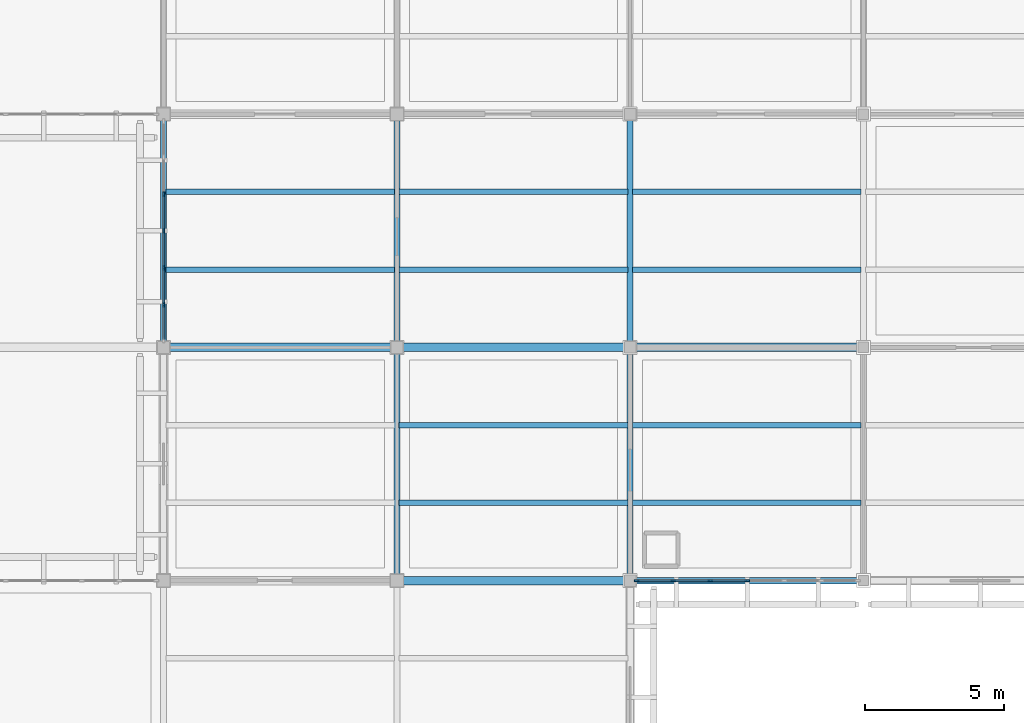
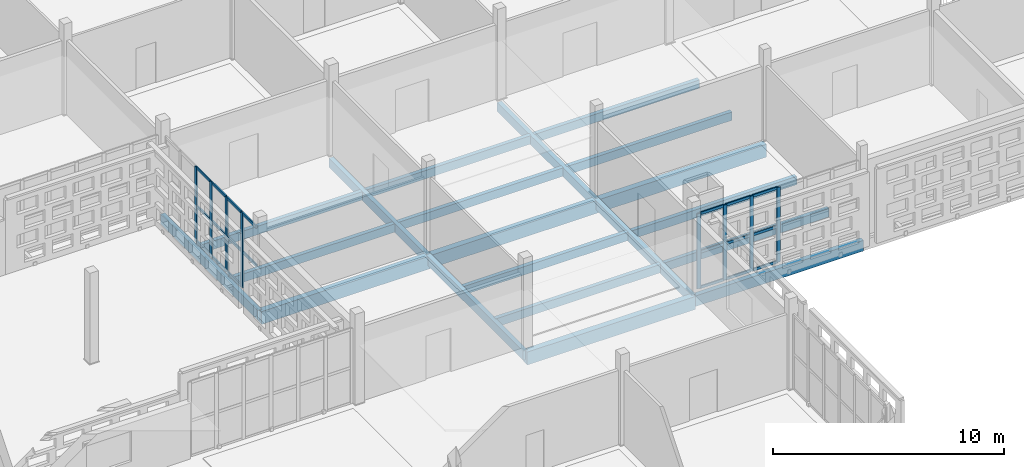
# One storey, part 21 of 203: 28 members, 20 beams, 2 elements without a shape of their own.
"""IFC4 building model written with IfcOpenShell, lengths in metres."""

from ifc_helpers import new_model, si_unit, direction, frame, origin, origin_2d, place, context, subcontext, project, spatial, rectangle, extrude, material, layer, layer_set, material_profile, profile_set, type_object, element, aggregate, save


model = new_model("IFC4")

# Units and contexts
model_context = context("Model", 3, precision=1e-05, world=origin(), true_north=direction((0.0, 1.0)))
body_context = subcontext(model_context, "Body", "Model", "MODEL_VIEW")
ifc_project = project(units=[si_unit("LENGTHUNIT", "METRE"), si_unit("AREAUNIT", "SQUARE_METRE"), si_unit("VOLUMEUNIT", "CUBIC_METRE"), si_unit("PLANEANGLEUNIT", "RADIAN"), si_unit("MASSUNIT", "GRAM", prefix="KILO")], contexts=[model_context])

# Site, building, storey
site_placement = place(None, origin())
site = spatial("IfcSite", under=ifc_project, at=site_placement, CompositionType="ELEMENT")
building_placement = place(site_placement, origin())
building = spatial("IfcBuilding", under=site, at=building_placement, Name="Varnapada Polytechnic", CompositionType="ELEMENT")
storey_placement = place(building_placement, frame((0.0, 0.0, 4.800048828125)))
storey = spatial("IfcBuildingStorey", under=building, at=storey_placement, Name="L01", CompositionType="ELEMENT", Elevation=4.800048828125)

# Beams
ifc_material_1 = material(Name="Glulam GL32h", Category="wood")
ifc_material_profile_1 = material_profile(ifc_material_1, rectangle(XDim=0.199951171875, YDim=0.43994140625, at=origin_2d()), Name="GL 200x440")
ifc_profile_set_1 = profile_set([ifc_material_profile_1], Name="Glulam GL32h")
beam_type_1 = type_object("IfcBeamType", Name="Heavy laboratory glulam joist GJ-03 (GL 200x440)", PredefinedType="JOIST", material=ifc_profile_set_1)
for number, where, z_axis, x_axis, name in (
    (1, (42.080078125, 28.0, -0.489990234375), (1.0, 0.0, 0.0), (0.0, 1.0, 0.0), "L01 floor joist 6/4.1"),
    (2, (42.080078125, 30.800048828125, -0.489990234375), (1.0, 0.0, 0.0), (0.0, 1.0, 0.0), "L01 floor joist 6/4.2"),
    (3, (50.47998046875, 19.60009765625, -0.47998046875), (1.0, 0.0, 0.0), (0.0, 1.0, 0.0), "L01 floor joist 7/3.1"),
    (4, (50.47998046875, 22.39990234375, -0.47998046875), (1.0, 0.0, 0.0), (0.0, 1.0, 0.0), "L01 floor joist 7/3.2"),
    (5, (50.47998046875, 28.0, -0.47998046875), (1.0, 0.0, 0.0), (0.0, 1.0, 0.0), "L01 floor joist 7/4.1"),
    (6, (50.47998046875, 30.800048828125, -0.47998046875), (1.0, 0.0, 0.0), (0.0, 1.0, 0.0), "L01 floor joist 7/4.2"),
):
    element("IfcBeam", number, at=place(storey_placement, frame(where, z_axis=z_axis, x_axis=x_axis)), inside=storey, type_object=beam_type_1, Name=name, PredefinedType="JOIST", context=body_context, shape_type="SweptSolid", body=[
        extrude(rectangle(XDim=0.199951171875, YDim=0.43994140625, at=origin_2d()), origin(), (0.0, 0.0, 1.0), 8.239990234375),
    ])
for number, where, z_axis, x_axis, name in (
    (7, (58.8798828125, 19.60009765625, -0.47998046875), (1.0, 0.0, 0.0), (0.0, 1.0, 0.0), "L01 floor joist 8/3.1"),
    (8, (58.8798828125, 22.39990234375, -0.47998046875), (1.0, 0.0, 0.0), (0.0, 1.0, 0.0), "L01 floor joist 8/3.2"),
    (9, (58.8798828125, 28.0, -0.47998046875), (1.0, 0.0, 0.0), (0.0, 1.0, 0.0), "L01 floor joist 8/4.1"),
    (10, (58.8798828125, 30.800048828125, -0.47998046875), (1.0, 0.0, 0.0), (0.0, 1.0, 0.0), "L01 floor joist 8/4.2"),
):
    element("IfcBeam", number, at=place(storey_placement, frame(where, z_axis=z_axis, x_axis=x_axis)), inside=storey, type_object=beam_type_1, Name=name, PredefinedType="JOIST", context=body_context, shape_type="SweptSolid", body=[
        extrude(rectangle(XDim=0.199951171875, YDim=0.43994140625, at=origin_2d()), origin(), (0.0, 0.0, 1.0), 8.240234375),
    ])
ifc_material_profile_2 = material_profile(ifc_material_1, rectangle(XDim=0.219970703125, YDim=0.52001953125, at=origin_2d()), Name="GL 220x520")
ifc_profile_set_2 = profile_set([ifc_material_profile_2], Name="Glulam GL32h")
beam_type_2 = type_object("IfcBeamType", Name="Laboratory transverse glulam beam GB-12 (GL 220x520)", PredefinedType="BEAM", material=ifc_profile_set_2)
beam_1_placement = place(storey_placement, frame((42.0, 25.199951171875, -0.530029296875), z_axis=(0.0, 1.0, 0.0), x_axis=(-1.0, 0.0, 0.0)))
element("IfcBeam", 11, at=beam_1_placement, inside=storey, type_object=beam_type_2, Name="L01 beam Y 4-5 at X6", PredefinedType="BEAM", context=body_context, shape_type="SweptSolid", body=[
    extrude(rectangle(XDim=0.219970703125, YDim=0.52001953125, at=origin_2d()), origin(), (0.0, 0.0, 1.0), 8.400146484375),
])

# Curtain wall, members
ifc_material_2 = material(Name="Double low-E laminated glass", Category="glass")
ifc_layer_1 = layer(ifc_material_2, 0.179931640625)
ifc_layer_set_1 = layer_set([ifc_layer_1], Name="Double low-E laminated glass")
curtain_wall_type_1 = type_object("IfcCurtainWallType", Name="Curtain Wall CW-03", PredefinedType="NOTDEFINED", material=ifc_layer_set_1)
curtain_wall_1_placement = place(storey_placement, origin())
curtain_wall_1 = element("IfcCurtainWall", 12, at=curtain_wall_1_placement, inside=storey, type_object=curtain_wall_type_1, Name="L01 unitised curtain wall CW-03 (44)", PredefinedType="NOTDEFINED")
ifc_material_3 = material(Name="Anodised aluminium", Category="aluminium")
ifc_material_profile_3 = material_profile(ifc_material_3, rectangle(XDim=0.06494140625, YDim=0.179931640625, at=origin_2d()), Name="ALU M65x180")
ifc_profile_set_3 = profile_set([ifc_material_profile_3], Name="Anodised aluminium")
member_type_1 = type_object("IfcMemberType", Name="Mullion M-02", PredefinedType="MULLION", material=ifc_profile_set_3)
member_1_placement = place(storey_placement, frame((42.0, 26.7451171875, 0.0), z_axis=(0.0, 0.0, 1.0), x_axis=(-1.0, 0.0, 0.0)))
member_1 = element("IfcMember", 13, at=member_1_placement, type_object=member_type_1, Name="CW-03 mullion 2", PredefinedType="MULLION", context=body_context, shape_type="SweptSolid", body=[
    extrude(rectangle(XDim=0.06494140625, YDim=0.179931640625, at=origin_2d()), origin(), (0.0, 0.0, 1.0), 3.9599609375),
])
member_2_placement = place(storey_placement, frame((42.0, 28.070068359375, 0.0), z_axis=(0.0, 0.0, 1.0), x_axis=(-1.0, 0.0, 0.0)))
member_2 = element("IfcMember", 14, at=member_2_placement, type_object=member_type_1, Name="CW-03 mullion 3", PredefinedType="MULLION", context=body_context, shape_type="SweptSolid", body=[
    extrude(rectangle(XDim=0.06494140625, YDim=0.179931640625, at=origin_2d()), origin(), (0.0, 0.0, 1.0), 3.9599609375),
])
member_3_placement = place(storey_placement, frame((42.0, 29.39501953125, 0.0), z_axis=(0.0, 0.0, 1.0), x_axis=(-1.0, 0.0, 0.0)))
member_3 = element("IfcMember", 15, at=member_3_placement, type_object=member_type_1, Name="CW-03 mullion 4", PredefinedType="MULLION", context=body_context, shape_type="SweptSolid", body=[
    extrude(rectangle(XDim=0.06494140625, YDim=0.179931640625, at=origin_2d()), origin(), (0.0, 0.0, 1.0), 3.9599609375),
])
member_4_placement = place(storey_placement, frame((42.0, 30.719970703125, 0.0), z_axis=(0.0, 0.0, 1.0), x_axis=(-1.0, 0.0, 0.0)))
member_4 = element("IfcMember", 16, at=member_4_placement, type_object=member_type_1, Name="CW-03 mullion 5", PredefinedType="MULLION", context=body_context, shape_type="SweptSolid", body=[
    extrude(rectangle(XDim=0.06494140625, YDim=0.179931640625, at=origin_2d()), origin(), (0.0, 0.0, 1.0), 3.9599609375),
])

ifc_layer_2 = layer(ifc_material_2, 0.179931640625)
ifc_layer_set_2 = layer_set([ifc_layer_2], Name="Double low-E laminated glass")
curtain_wall_type_2 = type_object("IfcCurtainWallType", Name="Curtain Wall CW-04", PredefinedType="NOTDEFINED", material=ifc_layer_set_2)
curtain_wall_2_placement = place(storey_placement, origin())
curtain_wall_2 = element("IfcCurtainWall", 17, at=curtain_wall_2_placement, inside=storey, type_object=curtain_wall_type_2, Name="L01 unitised curtain wall CW-04 (55)", PredefinedType="NOTDEFINED")
member_5_placement = place(storey_placement, frame((63.014892578125, 16.800048828125, 0.0), z_axis=(0.0, 0.0, 1.0), x_axis=(0.0, -1.0, 0.0)))
member_5 = element("IfcMember", 18, at=member_5_placement, type_object=member_type_1, Name="CW-04 mullion 4", PredefinedType="MULLION", context=body_context, shape_type="SweptSolid", body=[
    extrude(rectangle(XDim=0.06494140625, YDim=0.179931640625, at=origin_2d()), origin(), (0.0, 0.0, 1.0), 3.9599609375),
])
member_6_placement = place(storey_placement, frame((61.679931640625, 16.800048828125, 0.0), z_axis=(0.0, 0.0, 1.0), x_axis=(0.0, -1.0, 0.0)))
member_6 = element("IfcMember", 19, at=member_6_placement, type_object=member_type_1, Name="CW-04 mullion 5", PredefinedType="MULLION", context=body_context, shape_type="SweptSolid", body=[
    extrude(rectangle(XDim=0.06494140625, YDim=0.179931640625, at=origin_2d()), origin(), (0.0, 0.0, 1.0), 3.9599609375),
])
member_7_placement = place(storey_placement, frame((60.344970703125, 16.800048828125, 0.0), z_axis=(0.0, 0.0, 1.0), x_axis=(0.0, -1.0, 0.0)))
member_7 = element("IfcMember", 20, at=member_7_placement, type_object=member_type_1, Name="CW-04 mullion 6", PredefinedType="MULLION", context=body_context, shape_type="SweptSolid", body=[
    extrude(rectangle(XDim=0.06494140625, YDim=0.179931640625, at=origin_2d()), origin(), (0.0, 0.0, 1.0), 3.9599609375),
])
member_8_placement = place(storey_placement, frame((59.04248046875, 16.800048828125, 0.0), z_axis=(0.0, 0.0, 1.0), x_axis=(0.0, -1.0, 0.0)))
member_8 = element("IfcMember", 21, at=member_8_placement, type_object=member_type_1, Name="CW-04 mullion 7", PredefinedType="MULLION", context=body_context, shape_type="SweptSolid", body=[
    extrude(rectangle(XDim=0.06494140625, YDim=0.179931640625, at=origin_2d()), origin(), (0.0, 0.0, 1.0), 3.9599609375),
])

# Beam
ifc_material_profile_4 = material_profile(ifc_material_1, rectangle(XDim=0.239990234375, YDim=0.56005859375, at=origin_2d()), Name="GL 240x560")
ifc_profile_set_4 = profile_set([ifc_material_profile_4], Name="Glulam GL32h")
beam_type_3 = type_object("IfcBeamType", Name="Perimeter glulam spandrel beam SP-02 (GL 240x560)", PredefinedType="SPANDREL", material=ifc_profile_set_4)
beam_2_placement = place(storey_placement, frame((58.800048828125, 16.800048828125, -0.5400390625), z_axis=(1.0, 0.0, 0.0), x_axis=(0.0, 1.0, 0.0)))
element("IfcBeam", 22, at=beam_2_placement, inside=storey, type_object=beam_type_3, Name="L01 beam X 8-9 at Y3", PredefinedType="SPANDREL", context=body_context, shape_type="SweptSolid", body=[
    extrude(rectangle(XDim=0.239990234375, YDim=0.56005859375, at=origin_2d()), origin(), (0.0, 0.0, 1.0), 8.39990234375),
])

# Member
ifc_material_profile_5 = material_profile(ifc_material_3, rectangle(XDim=0.06494140625, YDim=0.139892578125, at=origin_2d()), Name="ALU T65x140")
ifc_profile_set_5 = profile_set([ifc_material_profile_5], Name="Anodised aluminium")
member_type_2 = type_object("IfcMemberType", Name="Transom T-02", PredefinedType="USERDEFINED", material=ifc_profile_set_5)
member_9_placement = place(storey_placement, frame((42.0, 25.485107421875, 1.900634765625), z_axis=(0.0, 1.0, 0.0), x_axis=(-1.0, 0.0, 0.0)))
member_9 = element("IfcMember", 23, at=member_9_placement, type_object=member_type_2, Name="CW-03 transom 1.2", ObjectType="TRANSOM", PredefinedType="USERDEFINED", context=body_context, shape_type="SweptSolid", body=[
    extrude(rectangle(XDim=0.06494140625, YDim=0.139892578125, at=origin_2d()), origin(), (0.0, 0.0, 1.0), 1.227294921875),
])

member_10_placement = place(storey_placement, frame((42.0, 25.485107421875, 3.927490234375), z_axis=(0.0, 1.0, 0.0), x_axis=(-1.0, 0.0, 0.0)))
member_10 = element("IfcMember", 24, at=member_10_placement, type_object=member_type_2, Name="CW-03 transom 1.3", ObjectType="TRANSOM", PredefinedType="USERDEFINED", context=body_context, shape_type="SweptSolid", body=[
    extrude(rectangle(XDim=0.06494140625, YDim=0.139892578125, at=origin_2d()), origin(), (0.0, 0.0, 1.0), 1.227294921875),
])

member_11_placement = place(storey_placement, frame((42.0, 26.777587890625, 0.032470703125), z_axis=(0.0, 1.0, 0.0), x_axis=(-1.0, 0.0, 0.0)))
member_11 = element("IfcMember", 25, at=member_11_placement, type_object=member_type_2, Name="CW-03 transom 2.1", ObjectType="TRANSOM", PredefinedType="USERDEFINED", context=body_context, shape_type="SweptSolid", body=[
    extrude(rectangle(XDim=0.06494140625, YDim=0.139892578125, at=origin_2d()), origin(), (0.0, 0.0, 1.0), 1.260009765625),
])

member_12_placement = place(storey_placement, frame((42.0, 26.777587890625, 1.900634765625), z_axis=(0.0, 1.0, 0.0), x_axis=(-1.0, 0.0, 0.0)))
member_12 = element("IfcMember", 26, at=member_12_placement, type_object=member_type_2, Name="CW-03 transom 2.2", ObjectType="TRANSOM", PredefinedType="USERDEFINED", context=body_context, shape_type="SweptSolid", body=[
    extrude(rectangle(XDim=0.06494140625, YDim=0.139892578125, at=origin_2d()), origin(), (0.0, 0.0, 1.0), 1.260009765625),
])

member_13_placement = place(storey_placement, frame((42.0, 26.777587890625, 3.927490234375), z_axis=(0.0, 1.0, 0.0), x_axis=(-1.0, 0.0, 0.0)))
member_13 = element("IfcMember", 27, at=member_13_placement, type_object=member_type_2, Name="CW-03 transom 2.3", ObjectType="TRANSOM", PredefinedType="USERDEFINED", context=body_context, shape_type="SweptSolid", body=[
    extrude(rectangle(XDim=0.06494140625, YDim=0.139892578125, at=origin_2d()), origin(), (0.0, 0.0, 1.0), 1.260009765625),
])

member_14_placement = place(storey_placement, frame((42.0, 28.1025390625, 0.032470703125), z_axis=(0.0, 1.0, 0.0), x_axis=(-1.0, 0.0, 0.0)))
member_14 = element("IfcMember", 28, at=member_14_placement, type_object=member_type_2, Name="CW-03 transom 3.1", ObjectType="TRANSOM", PredefinedType="USERDEFINED", context=body_context, shape_type="SweptSolid", body=[
    extrude(rectangle(XDim=0.06494140625, YDim=0.139892578125, at=origin_2d()), origin(), (0.0, 0.0, 1.0), 1.260009765625),
])

member_15_placement = place(storey_placement, frame((42.0, 28.1025390625, 1.900634765625), z_axis=(0.0, 1.0, 0.0), x_axis=(-1.0, 0.0, 0.0)))
member_15 = element("IfcMember", 29, at=member_15_placement, type_object=member_type_2, Name="CW-03 transom 3.2", ObjectType="TRANSOM", PredefinedType="USERDEFINED", context=body_context, shape_type="SweptSolid", body=[
    extrude(rectangle(XDim=0.06494140625, YDim=0.139892578125, at=origin_2d()), origin(), (0.0, 0.0, 1.0), 1.260009765625),
])

member_16_placement = place(storey_placement, frame((42.0, 28.1025390625, 3.927490234375), z_axis=(0.0, 1.0, 0.0), x_axis=(-1.0, 0.0, 0.0)))
member_16 = element("IfcMember", 30, at=member_16_placement, type_object=member_type_2, Name="CW-03 transom 3.3", ObjectType="TRANSOM", PredefinedType="USERDEFINED", context=body_context, shape_type="SweptSolid", body=[
    extrude(rectangle(XDim=0.06494140625, YDim=0.139892578125, at=origin_2d()), origin(), (0.0, 0.0, 1.0), 1.260009765625),
])

member_17_placement = place(storey_placement, frame((42.0, 29.427490234375, 0.032470703125), z_axis=(0.0, 1.0, 0.0), x_axis=(-1.0, 0.0, 0.0)))
member_17 = element("IfcMember", 31, at=member_17_placement, type_object=member_type_2, Name="CW-03 transom 4.1", ObjectType="TRANSOM", PredefinedType="USERDEFINED", context=body_context, shape_type="SweptSolid", body=[
    extrude(rectangle(XDim=0.06494140625, YDim=0.139892578125, at=origin_2d()), origin(), (0.0, 0.0, 1.0), 1.260009765625),
])

member_18_placement = place(storey_placement, frame((42.0, 29.427490234375, 1.900634765625), z_axis=(0.0, 1.0, 0.0), x_axis=(-1.0, 0.0, 0.0)))
member_18 = element("IfcMember", 32, at=member_18_placement, type_object=member_type_2, Name="CW-03 transom 4.2", ObjectType="TRANSOM", PredefinedType="USERDEFINED", context=body_context, shape_type="SweptSolid", body=[
    extrude(rectangle(XDim=0.06494140625, YDim=0.139892578125, at=origin_2d()), origin(), (0.0, 0.0, 1.0), 1.260009765625),
])

member_19_placement = place(storey_placement, frame((42.0, 29.427490234375, 3.927490234375), z_axis=(0.0, 1.0, 0.0), x_axis=(-1.0, 0.0, 0.0)))
member_19 = element("IfcMember", 33, at=member_19_placement, type_object=member_type_2, Name="CW-03 transom 4.3", ObjectType="TRANSOM", PredefinedType="USERDEFINED", context=body_context, shape_type="SweptSolid", body=[
    extrude(rectangle(XDim=0.06494140625, YDim=0.139892578125, at=origin_2d()), origin(), (0.0, 0.0, 1.0), 1.260009765625),
])

aggregate(curtain_wall_1, [member_1, member_2, member_3, member_4, member_9, member_10, member_11, member_12, member_13, member_14, member_15, member_16, member_17, member_18, member_19])

member_20_placement = place(storey_placement, frame((62.982421875, 16.800048828125, 0.032470703125), z_axis=(-1.0, 0.0, 0.0), x_axis=(0.0, -1.0, 0.0)))
member_20 = element("IfcMember", 34, at=member_20_placement, type_object=member_type_2, Name="CW-04 transom 4.1", ObjectType="TRANSOM", PredefinedType="USERDEFINED", context=body_context, shape_type="SweptSolid", body=[
    extrude(rectangle(XDim=0.06494140625, YDim=0.139892578125, at=origin_2d()), origin(), (0.0, 0.0, 1.0), 1.27001953125),
])

member_21_placement = place(storey_placement, frame((62.982421875, 16.800048828125, 1.900634765625), z_axis=(-1.0, 0.0, 0.0), x_axis=(0.0, -1.0, 0.0)))
member_21 = element("IfcMember", 35, at=member_21_placement, type_object=member_type_2, Name="CW-04 transom 4.2", ObjectType="TRANSOM", PredefinedType="USERDEFINED", context=body_context, shape_type="SweptSolid", body=[
    extrude(rectangle(XDim=0.06494140625, YDim=0.139892578125, at=origin_2d()), origin(), (0.0, 0.0, 1.0), 1.27001953125),
])

member_22_placement = place(storey_placement, frame((62.982421875, 16.800048828125, 3.927490234375), z_axis=(-1.0, 0.0, 0.0), x_axis=(0.0, -1.0, 0.0)))
member_22 = element("IfcMember", 36, at=member_22_placement, type_object=member_type_2, Name="CW-04 transom 4.3", ObjectType="TRANSOM", PredefinedType="USERDEFINED", context=body_context, shape_type="SweptSolid", body=[
    extrude(rectangle(XDim=0.06494140625, YDim=0.139892578125, at=origin_2d()), origin(), (0.0, 0.0, 1.0), 1.27001953125),
])

member_23_placement = place(storey_placement, frame((61.6474609375, 16.800048828125, 0.032470703125), z_axis=(-1.0, 0.0, 0.0), x_axis=(0.0, -1.0, 0.0)))
member_23 = element("IfcMember", 37, at=member_23_placement, type_object=member_type_2, Name="CW-04 transom 5.1", ObjectType="TRANSOM", PredefinedType="USERDEFINED", context=body_context, shape_type="SweptSolid", body=[
    extrude(rectangle(XDim=0.06494140625, YDim=0.139892578125, at=origin_2d()), origin(), (0.0, 0.0, 1.0), 1.27001953125),
])

member_24_placement = place(storey_placement, frame((61.6474609375, 16.800048828125, 1.900634765625), z_axis=(-1.0, 0.0, 0.0), x_axis=(0.0, -1.0, 0.0)))
member_24 = element("IfcMember", 38, at=member_24_placement, type_object=member_type_2, Name="CW-04 transom 5.2", ObjectType="TRANSOM", PredefinedType="USERDEFINED", context=body_context, shape_type="SweptSolid", body=[
    extrude(rectangle(XDim=0.06494140625, YDim=0.139892578125, at=origin_2d()), origin(), (0.0, 0.0, 1.0), 1.27001953125),
])

member_25_placement = place(storey_placement, frame((61.6474609375, 16.800048828125, 3.927490234375), z_axis=(-1.0, 0.0, 0.0), x_axis=(0.0, -1.0, 0.0)))
member_25 = element("IfcMember", 39, at=member_25_placement, type_object=member_type_2, Name="CW-04 transom 5.3", ObjectType="TRANSOM", PredefinedType="USERDEFINED", context=body_context, shape_type="SweptSolid", body=[
    extrude(rectangle(XDim=0.06494140625, YDim=0.139892578125, at=origin_2d()), origin(), (0.0, 0.0, 1.0), 1.27001953125),
])

member_26_placement = place(storey_placement, frame((60.3125, 16.800048828125, 0.032470703125), z_axis=(-1.0, 0.0, 0.0), x_axis=(0.0, -1.0, 0.0)))
member_26 = element("IfcMember", 40, at=member_26_placement, type_object=member_type_2, Name="CW-04 transom 6.1", ObjectType="TRANSOM", PredefinedType="USERDEFINED", context=body_context, shape_type="SweptSolid", body=[
    extrude(rectangle(XDim=0.06494140625, YDim=0.139892578125, at=origin_2d()), origin(), (0.0, 0.0, 1.0), 1.237548828125),
])

member_27_placement = place(storey_placement, frame((60.3125, 16.800048828125, 1.900634765625), z_axis=(-1.0, 0.0, 0.0), x_axis=(0.0, -1.0, 0.0)))
member_27 = element("IfcMember", 41, at=member_27_placement, type_object=member_type_2, Name="CW-04 transom 6.2", ObjectType="TRANSOM", PredefinedType="USERDEFINED", context=body_context, shape_type="SweptSolid", body=[
    extrude(rectangle(XDim=0.06494140625, YDim=0.139892578125, at=origin_2d()), origin(), (0.0, 0.0, 1.0), 1.237548828125),
])

member_28_placement = place(storey_placement, frame((60.3125, 16.800048828125, 3.927490234375), z_axis=(-1.0, 0.0, 0.0), x_axis=(0.0, -1.0, 0.0)))
member_28 = element("IfcMember", 42, at=member_28_placement, type_object=member_type_2, Name="CW-04 transom 6.3", ObjectType="TRANSOM", PredefinedType="USERDEFINED", context=body_context, shape_type="SweptSolid", body=[
    extrude(rectangle(XDim=0.06494140625, YDim=0.139892578125, at=origin_2d()), origin(), (0.0, 0.0, 1.0), 1.237548828125),
])

aggregate(curtain_wall_2, [member_5, member_6, member_7, member_8, member_20, member_21, member_22, member_23, member_24, member_25, member_26, member_27, member_28])

# Beams
ifc_material_profile_6 = material_profile(ifc_material_1, rectangle(XDim=0.219970703125, YDim=0.47998046875, at=origin_2d()), Name="GL 220x480")
ifc_profile_set_6 = profile_set([ifc_material_profile_6], Name="Glulam GL32h")
beam_type_4 = type_object("IfcBeamType", Name="Upper floor glulam tie beam GB-11 (GL 220x480)", PredefinedType="BEAM", material=ifc_profile_set_6)
beam_3_placement = place(storey_placement, frame((50.39990234375, 16.800048828125, -0.5), z_axis=(0.0, 1.0, 0.0), x_axis=(-1.0, 0.0, 0.0)))
element("IfcBeam", 43, at=beam_3_placement, inside=storey, type_object=beam_type_4, Name="L01 beam Y 3-4 at X7", PredefinedType="BEAM", context=body_context, shape_type="SweptSolid", body=[
    extrude(rectangle(XDim=0.219970703125, YDim=0.47998046875, at=origin_2d()), origin(), (0.0, 0.0, 1.0), 8.39990234375),
])
beam_4_placement = place(storey_placement, frame((50.39990234375, 25.199951171875, -0.5), z_axis=(0.0, 1.0, 0.0), x_axis=(-1.0, 0.0, 0.0)))
element("IfcBeam", 44, at=beam_4_placement, inside=storey, type_object=beam_type_4, Name="L01 beam Y 4-5 at X7", PredefinedType="BEAM", context=body_context, shape_type="SweptSolid", body=[
    extrude(rectangle(XDim=0.219970703125, YDim=0.47998046875, at=origin_2d()), origin(), (0.0, 0.0, 1.0), 8.400146484375),
])
beam_5_placement = place(storey_placement, frame((58.800048828125, 16.800048828125, -0.5), z_axis=(0.0, 1.0, 0.0), x_axis=(-1.0, 0.0, 0.0)))
element("IfcBeam", 45, at=beam_5_placement, inside=storey, type_object=beam_type_4, Name="L01 beam Y 3-4 at X8", PredefinedType="BEAM", context=body_context, shape_type="SweptSolid", body=[
    extrude(rectangle(XDim=0.219970703125, YDim=0.47998046875, at=origin_2d()), origin(), (0.0, 0.0, 1.0), 8.39990234375),
])
beam_6_placement = place(storey_placement, frame((58.800048828125, 25.199951171875, -0.5), z_axis=(0.0, 1.0, 0.0), x_axis=(-1.0, 0.0, 0.0)))
element("IfcBeam", 46, at=beam_6_placement, inside=storey, type_object=beam_type_4, Name="L01 beam Y 4-5 at X8", PredefinedType="BEAM", context=body_context, shape_type="SweptSolid", body=[
    extrude(rectangle(XDim=0.219970703125, YDim=0.47998046875, at=origin_2d()), origin(), (0.0, 0.0, 1.0), 8.400146484375),
])
ifc_material_profile_7 = material_profile(ifc_material_1, rectangle(XDim=0.300048828125, YDim=0.679931640625, at=origin_2d()), Name="GL 300x680")
ifc_profile_set_7 = profile_set([ifc_material_profile_7], Name="Glulam GL32h")
beam_type_5 = type_object("IfcBeamType", Name="Wet laboratory glulam girder GG-04 (GL 300x680)", PredefinedType="BEAM", material=ifc_profile_set_7)
beam_7_placement = place(storey_placement, frame((42.0, 25.199951171875, -0.610107421875), z_axis=(1.0, 0.0, 0.0), x_axis=(0.0, 1.0, 0.0)))
element("IfcBeam", 47, at=beam_7_placement, inside=storey, type_object=beam_type_5, Name="L01 beam X 6-7 at Y4", PredefinedType="BEAM", context=body_context, shape_type="SweptSolid", body=[
    extrude(rectangle(XDim=0.300048828125, YDim=0.679931640625, at=origin_2d()), origin(), (0.0, 0.0, 1.0), 8.39990234375),
])
for number, where, z_axis, x_axis, name in (
    (48, (50.39990234375, 16.800048828125, -0.60009765625), (1.0, 0.0, 0.0), (0.0, 1.0, 0.0), "L01 beam X 7-8 at Y3"),
    (49, (50.39990234375, 25.199951171875, -0.60009765625), (1.0, 0.0, 0.0), (0.0, 1.0, 0.0), "L01 beam X 7-8 at Y4"),
):
    element("IfcBeam", number, at=place(storey_placement, frame(where, z_axis=z_axis, x_axis=x_axis)), inside=storey, type_object=beam_type_5, Name=name, PredefinedType="BEAM", context=body_context, shape_type="SweptSolid", body=[
        extrude(rectangle(XDim=0.300048828125, YDim=0.679931640625, at=origin_2d()), origin(), (0.0, 0.0, 1.0), 8.400146484375),
    ])
beam_8_placement = place(storey_placement, frame((58.800048828125, 25.199951171875, -0.60009765625), z_axis=(1.0, 0.0, 0.0), x_axis=(0.0, 1.0, 0.0)))
element("IfcBeam", 50, at=beam_8_placement, inside=storey, type_object=beam_type_5, Name="L01 beam X 8-9 at Y4", PredefinedType="BEAM", context=body_context, shape_type="SweptSolid", body=[
    extrude(rectangle(XDim=0.300048828125, YDim=0.679931640625, at=origin_2d()), origin(), (0.0, 0.0, 1.0), 8.39990234375),
])

save(model, "model.ifc")
